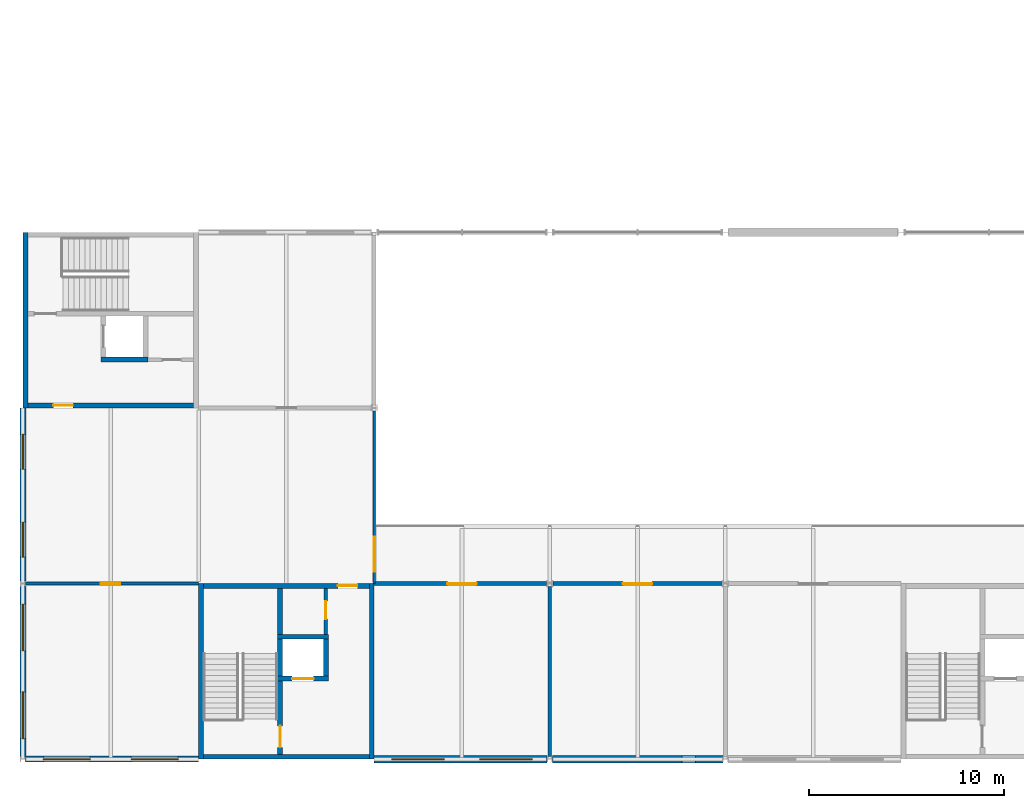
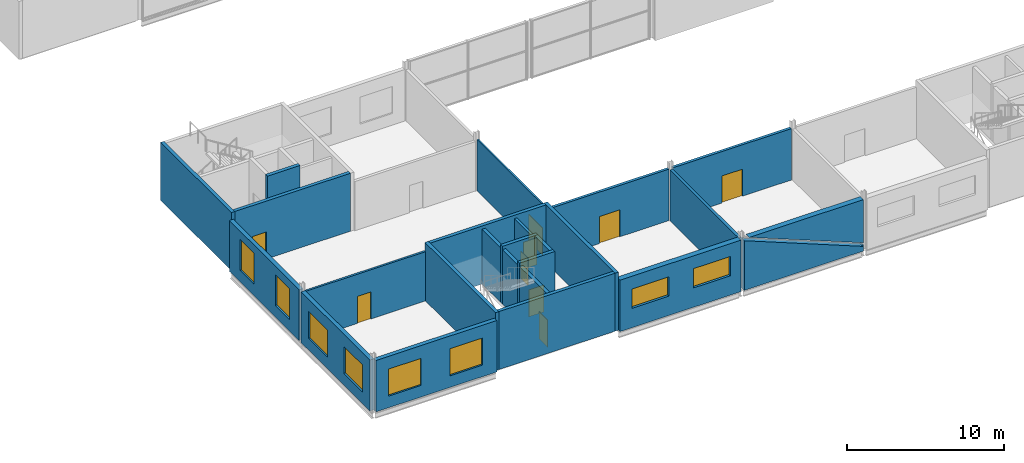
# One storey, part 65 of 97: 23 walls, 9 doors, 8 windows, 17 openings.
"""IFC4 building model written with IfcOpenShell, lengths in metres."""

import ifcopenshell
import ifcopenshell.guid

model = None  # the IFC model being written
_history = None  # IfcOwnerHistory: only IFC2X3 demands one
_inside = {}  # id of a spatial element -> (the spatial element, [elements in it])
_under = {}  # id of a project, library or spatial element -> (it, [spatial elements below it])
_declared = {}  # id of a project -> (the project, [libraries it declares])
_typed = {}  # id of a type object -> (the type object, [elements of that type])
_made_of = {}  # id of a material, layer set ... -> (it, [elements and type objects made of it])


def new_model(schema):
    """Start an empty IFC model of exactly this schema.

    Asked for "IFC4X3", IfcOpenShell would pick the latest addendum, in which some entities
    have other attributes; the version numbers below select the first issue.
    IFC2X3 requires an IfcOwnerHistory on every rooted entity: one is made here for all.
    """
    global model, _history
    if schema == "IFC4X3":
        model = ifcopenshell.file(schema_version=(4, 3, 0, 0))
    else:
        model = ifcopenshell.file(schema=schema)
    _inside.clear()
    _under.clear()
    _declared.clear()
    _typed.clear()
    _made_of.clear()
    _history = None
    if model.schema == "IFC2X3":
        org = make("IfcOrganization", Name="unknown")
        user = make(
            "IfcPersonAndOrganization",
            ThePerson=make("IfcPerson", FamilyName="unknown"),
            TheOrganization=org,
        )
        app = make(
            "IfcApplication",
            ApplicationDeveloper=org,
            Version="unknown",
            ApplicationFullName="unknown",
            ApplicationIdentifier="unknown",
        )
        _history = make(
            "IfcOwnerHistory",
            OwningUser=user,
            OwningApplication=app,
            ChangeAction="ADDED",
            CreationDate=0,
        )
    return model


def make(cls, **values):
    """One entity of the class cls with the attributes given. An attribute that is None is left unset."""
    return model.create_entity(
        cls, **{name: value for name, value in values.items() if value is not None}
    )


def rooted(cls, **values):
    """An entity with a GlobalId (a new one), such as an element, a storey or a relation."""
    return make(cls, GlobalId=ifcopenshell.guid.new(), OwnerHistory=_history, **values)


def si_unit(unit_type, name, prefix=None):
    """IfcSIUnit, for example si_unit("LENGTHUNIT", "METRE", prefix="MILLI")."""
    return make("IfcSIUnit", UnitType=unit_type, Prefix=prefix, Name=name)


def assignment(units):
    """IfcUnitAssignment: the units of a project."""
    return None if units is None else make("IfcUnitAssignment", Units=units)


def point(xyz):
    """IfcCartesianPoint."""
    return None if xyz is None else make("IfcCartesianPoint", Coordinates=xyz)


def direction(xyz):
    """IfcDirection."""
    return None if xyz is None else make("IfcDirection", DirectionRatios=xyz)


def frame(location, z_axis=None, x_axis=None):
    """IfcAxis2Placement3D, a coordinate frame: its origin and axes. An axis left out is left unset."""
    return make(
        "IfcAxis2Placement3D",
        Location=point(location),
        Axis=direction(z_axis),
        RefDirection=direction(x_axis),
    )


def frame_2d(location, x_axis=None):
    """IfcAxis2Placement2D, a coordinate frame in the plane: its origin and x axis."""
    return make(
        "IfcAxis2Placement2D", Location=point(location), RefDirection=direction(x_axis)
    )


def origin():
    """The frame at (0, 0, 0) with its axes left unset."""
    return frame((0.0, 0.0, 0.0))


def place(relative_to, where):
    """IfcLocalPlacement: puts the frame where relative to a parent placement (None: the world)."""
    return make(
        "IfcLocalPlacement", PlacementRelTo=relative_to, RelativePlacement=where
    )


def context(
    kind, dimensions, precision=None, world=None, true_north=None, identifier=None
):
    """IfcGeometricRepresentationContext, for example the 3D "Model" context."""
    return make(
        "IfcGeometricRepresentationContext",
        ContextIdentifier=identifier,
        ContextType=kind,
        CoordinateSpaceDimension=dimensions,
        Precision=precision,
        WorldCoordinateSystem=world,
        TrueNorth=true_north,
    )


def subcontext(parent, identifier, kind, view, scale=None):
    """IfcGeometricRepresentationSubContext, for example "Body" below "Model"."""
    return make(
        "IfcGeometricRepresentationSubContext",
        ContextIdentifier=identifier,
        ContextType=kind,
        ParentContext=parent,
        TargetScale=scale,
        TargetView=view,
    )


def project(units=None, contexts=None):
    """IfcProject with its units and contexts."""
    return rooted(
        "IfcProject",
        Name="project",
        RepresentationContexts=contexts,
        UnitsInContext=assignment(units),
    )


def spatial(cls, under=None, at=None, **own):
    """A site, building, storey or space (cls), placed at a placement, below another one or the project."""
    s = rooted(cls, ObjectPlacement=at, **own)
    if under is not None:
        _under.setdefault(under.id(), (under, []))[1].append(s)
    return s


def polyline(points):
    """IfcPolyline through the points."""
    return make("IfcPolyline", Points=[point(p) for p in points])


def profile(cls, at=None, kind="AREA", **sizes):
    """A parametric profile (cls). Its sizes go by their IFC names, for example OverallWidth=200.0."""
    return make(cls, ProfileType=kind, Position=at, **sizes)


def rectangle(**sizes):
    """IfcRectangleProfileDef."""
    return profile("IfcRectangleProfileDef", **sizes)


def outline(outer, holes=None, kind="AREA"):
    """IfcArbitraryClosedProfileDef: a profile drawn as a closed curve; with holes, ...WithVoids."""
    if holes is None:
        return make("IfcArbitraryClosedProfileDef", ProfileType=kind, OuterCurve=outer)
    return make(
        "IfcArbitraryProfileDefWithVoids",
        ProfileType=kind,
        OuterCurve=outer,
        InnerCurves=holes,
    )


def extrude(swept, where, along, depth):
    """IfcExtrudedAreaSolid: the profile swept, set in the frame where, extruded along a direction by depth."""
    return make(
        "IfcExtrudedAreaSolid",
        SweptArea=swept,
        Position=where,
        ExtrudedDirection=direction(along),
        Depth=depth,
    )


def shape(context_of_items, identifier, shape_type, items):
    """IfcShapeRepresentation: the items that make up one representation, for example the "Body"."""
    return make(
        "IfcShapeRepresentation",
        ContextOfItems=context_of_items,
        RepresentationIdentifier=identifier,
        RepresentationType=shape_type,
        Items=items,
    )


def material(Name=None, Category=None):
    """IfcMaterial."""
    return make("IfcMaterial", Name=Name, Category=Category)


def layer(
    of_material, thickness, ventilated=None, Name=None, Category=None, Priority=None
):
    """IfcMaterialLayer: one layer of a wall or slab, of a material (None: an air gap)."""
    return make(
        "IfcMaterialLayer",
        Material=of_material,
        LayerThickness=thickness,
        IsVentilated=ventilated,
        Name=Name,
        Category=Category,
        Priority=Priority,
    )


def layer_set(layers, Name=None):
    """IfcMaterialLayerSet."""
    return make("IfcMaterialLayerSet", MaterialLayers=layers, LayerSetName=Name)


def made_of(thing, what):
    """Note that an element or type object is made of a material, layer set ...; save() writes the relation."""
    if what is not None:
        _made_of.setdefault(what.id(), (what, []))[1].append(thing)
    return thing


def type_object(cls, material=None, **own):
    """A type object (cls), such as IfcWallType, which elements share."""
    return made_of(rooted(cls, **own), material)


def element(
    cls,
    number,
    at=None,
    inside=None,
    cuts=None,
    type_object=None,
    material=None,
    context=None,
    identifier="Body",
    shape_type=None,
    held_by="IfcProductDefinitionShape",
    body=None,
    shapes=None,
    **own,
):
    """One element of the class cls, such as IfcWall. Its Tag is "e" and its number.

    at: its placement. inside: the storey or other place that contains it. cuts: it is an
    opening in that element (IfcRelVoidsElement). A single representation is given by context,
    identifier, shape_type and body (its items); several are given by shapes. held_by: the class
    of the entity that holds the representations. save() writes the other relations.
    """
    e = rooted(cls, Tag="e%d" % number, ObjectPlacement=at, **own)
    if body is not None:
        shapes = [shape(context, identifier, shape_type, body)]
    if shapes is not None:
        e.Representation = make(held_by, Representations=shapes)
    if inside is not None:
        _inside.setdefault(inside.id(), (inside, []))[1].append(e)
    if cuts is not None:
        rooted(
            "IfcRelVoidsElement", RelatingBuildingElement=cuts, RelatedOpeningElement=e
        )
    if type_object is not None:
        _typed.setdefault(type_object.id(), (type_object, []))[1].append(e)
    return made_of(e, material)


def fill(opening, filler):
    """IfcRelFillsElement: the door or window that sits in an opening."""
    return rooted(
        "IfcRelFillsElement",
        RelatingOpeningElement=opening,
        RelatedBuildingElement=filler,
    )


def aggregate(whole, parts):
    """IfcRelAggregates: a whole, such as a stair, and the parts it consists of."""
    return rooted("IfcRelAggregates", RelatingObject=whole, RelatedObjects=parts)


def save(model, path):
    """Write the relations noted so far, then the file.

    IfcRelAggregates (storeys below a building ...), IfcRelContainedInSpatialStructure (elements
    in a storey), IfcRelDefinesByType, IfcRelAssociatesMaterial and IfcRelDeclares: one each for
    every whole, place, type object, material and project.
    """
    for whole, parts in _under.values():
        aggregate(whole, parts)
    for where, things in _inside.values():
        rooted(
            "IfcRelContainedInSpatialStructure",
            RelatedElements=things,
            RelatingStructure=where,
        )
    for kind, things in _typed.values():
        rooted("IfcRelDefinesByType", RelatedObjects=things, RelatingType=kind)
    for what, things in _made_of.values():
        rooted("IfcRelAssociatesMaterial", RelatedObjects=things, RelatingMaterial=what)
    for by, libraries in _declared.values():
        rooted("IfcRelDeclares", RelatingContext=by, RelatedDefinitions=libraries)
    model.write(path)


model = new_model("IFC4")

# Units and contexts
model_context = context("Model", 3, precision=1e-05, world=origin(), true_north=direction((0.0, 1.0)))
body_context = subcontext(model_context, "Body", "Model", "MODEL_VIEW")
ifc_project = project(units=[si_unit("LENGTHUNIT", "METRE"), si_unit("AREAUNIT", "SQUARE_METRE"), si_unit("VOLUMEUNIT", "CUBIC_METRE"), si_unit("PLANEANGLEUNIT", "RADIAN"), si_unit("MASSUNIT", "GRAM", prefix="KILO")], contexts=[model_context])

# Site, building, storey
site_placement = place(None, origin())
site = spatial("IfcSite", under=ifc_project, at=site_placement, CompositionType="ELEMENT")
building_placement = place(site_placement, origin())
building = spatial("IfcBuilding", under=site, at=building_placement, Name="Corbel Yard City Hall", CompositionType="ELEMENT")
storey_placement = place(building_placement, frame((0.0, 0.0, 6.0)))
storey = spatial("IfcBuildingStorey", under=building, at=storey_placement, Name="L01", CompositionType="ELEMENT", Elevation=6.0)

# Walls
ifc_material_1 = material(Name="Concrete N50 (50 MPa)", Category="concrete")
ifc_layer_1 = layer(ifc_material_1, 0.25)
ifc_layer_set_1 = layer_set([ifc_layer_1], Name="Concrete N50 (50 MPa)")
wall_type_1 = type_object("IfcWallType", Name="Core cell wall 250", PredefinedType="SHEAR", material=ifc_layer_set_1)
for number, where, z_axis, x_axis, name in (
    (1, (9.125, 0.0, 0.0), (0.0, 0.0, 1.0), (0.0, 1.0, 0.0), "Core PC-S0 west wall"),
    (2, (17.875, 0.0, 0.0), (0.0, 0.0, 1.0), (0.0, 1.0, 0.0), "Core PC-S0 east wall"),
):
    element("IfcWall", number, at=place(storey_placement, frame(where, z_axis=z_axis, x_axis=x_axis)), inside=storey, type_object=wall_type_1, Name=name, PredefinedType="SHEAR", context=body_context, shape_type="SweptSolid", body=[
        extrude(rectangle(XDim=9.0, YDim=0.25, at=frame_2d((4.5, 0.0))), origin(), (0.0, 0.0, 1.0), 4.5),
    ])
wall_1_placement = place(storey_placement, frame((9.25, 0.125, 0.0), z_axis=(0.0, 0.0, 1.0), x_axis=(1.0, 0.0, 0.0)))
element("IfcWall", 3, at=wall_1_placement, inside=storey, type_object=wall_type_1, Name="Core PC-S0 south wall", PredefinedType="SHEAR", context=body_context, shape_type="SweptSolid", body=[
    extrude(rectangle(XDim=8.5, YDim=0.25, at=frame_2d((4.25, 0.0))), origin(), (0.0, 0.0, 1.0), 4.5),
])

# Wall, opening, door
wall_2_placement = place(storey_placement, frame((9.25, 8.875, 0.0), z_axis=(0.0, 0.0, 1.0), x_axis=(1.0, 0.0, 0.0)))
wall_2 = element("IfcWall", 4, at=wall_2_placement, inside=storey, type_object=wall_type_1, Name="Core PC-S0 north wall", PredefinedType="SHEAR", context=body_context, shape_type="SweptSolid", body=[
    extrude(rectangle(XDim=8.5, YDim=0.25, at=frame_2d((4.25, 0.0))), origin(), (0.0, 0.0, 1.0), 4.5),
])
opening_1_placement = place(wall_2_placement, frame((6.887451171875, 0.0, 0.0)))
opening_1 = element("IfcOpeningElement", 5, at=opening_1_placement, cuts=wall_2, Name="Opening L01-012", PredefinedType="OPENING", context=body_context, shape_type="SweptSolid", body=[
    extrude(rectangle(XDim=1.0, YDim=2.10009765625, at=frame_2d((0.5, 1.050048828125))), frame((0.0, 0.135009765625, 0.0), z_axis=(0.0, -1.0, 0.0), x_axis=(1.0, 0.0, 0.0)), (0.0, 0.0, 1.0), 0.27001953125),
])
ifc_material_2 = material(Name="Steel Grade G250", Category="steel")
door_type_1 = type_object("IfcDoorType", Name="FS1", OperationType="SINGLE_SWING_LEFT", PredefinedType="DOOR", material=ifc_material_2)
door_1_placement = place(opening_1_placement, frame((1.0, 0.0, 0.0), z_axis=(0.0, 0.0, 1.0), x_axis=(-1.0, 0.0, 0.0)))
door_1 = element("IfcDoor", 6, at=door_1_placement, inside=storey, type_object=door_type_1, Name="Door Lift Lobby", OperationType="SINGLE_SWING_RIGHT", OverallHeight=2.10009765625, OverallWidth=1.0, PredefinedType="DOOR", context=body_context, shape_type="SweptSolid", body=[
    extrude(rectangle(XDim=1.0, YDim=2.10009765625, at=frame_2d((0.5, 1.050048828125))), frame((0.0, 0.02490234375, 0.0), z_axis=(0.0, -1.0, 0.0), x_axis=(1.0, 0.0, 0.0)), (0.0, 0.0, 1.0), 0.050048828125),
])
fill(opening_1, door_1)

# Wall
wall_3_placement = place(storey_placement, frame((0.125, 18.0, 0.0), z_axis=(0.0, 0.0, 1.0), x_axis=(0.0, 1.0, 0.0)))
element("IfcWall", 7, at=wall_3_placement, inside=storey, type_object=wall_type_1, Name="Core PC-S5 west wall", PredefinedType="SHEAR", context=body_context, shape_type="SweptSolid", body=[
    extrude(rectangle(XDim=9.0, YDim=0.25, at=frame_2d((4.5, 0.0))), origin(), (0.0, 0.0, 1.0), 4.5),
])

# Wall, opening, door
wall_4_placement = place(storey_placement, frame((0.25, 18.125, 0.0), z_axis=(0.0, 0.0, 1.0), x_axis=(1.0, 0.0, 0.0)))
wall_4 = element("IfcWall", 8, at=wall_4_placement, inside=storey, type_object=wall_type_1, Name="Core PC-S5 south wall", PredefinedType="SHEAR", context=body_context, shape_type="SweptSolid", body=[
    extrude(rectangle(XDim=8.5, YDim=0.25, at=frame_2d((4.25, 0.0))), origin(), (0.0, 0.0, 1.0), 4.5),
])
opening_2_placement = place(wall_4_placement, frame((1.3125, 0.0, 0.0)))
opening_2 = element("IfcOpeningElement", 9, at=opening_2_placement, cuts=wall_4, Name="Opening L01-015", PredefinedType="OPENING", context=body_context, shape_type="SweptSolid", body=[
    extrude(rectangle(XDim=1.0, YDim=2.10009765625, at=frame_2d((0.5, 1.050048828125))), frame((0.0, 0.135009765625, 0.0), z_axis=(0.0, -1.0, 0.0), x_axis=(1.0, 0.0, 0.0)), (0.0, 0.0, 1.0), 0.27001953125),
])
door_2_placement = place(opening_2_placement, origin())
door_2 = element("IfcDoor", 10, at=door_2_placement, inside=storey, type_object=door_type_1, Name="Door Lift Lobby", OperationType="SINGLE_SWING_LEFT", OverallHeight=2.10009765625, OverallWidth=1.0, PredefinedType="DOOR", context=body_context, shape_type="SweptSolid", body=[
    extrude(rectangle(XDim=1.0, YDim=2.10009765625, at=frame_2d((0.5, 1.050048828125))), frame((0.0, 0.02490234375, 0.0), z_axis=(0.0, -1.0, 0.0), x_axis=(1.0, 0.0, 0.0)), (0.0, 0.0, 1.0), 0.050048828125),
])
fill(opening_2, door_2)

# Wall, openings, windows
ifc_material_3 = material(Name="Sandstone cladding", Category="masonry")
ifc_layer_2 = layer(ifc_material_3, 0.0400390625)
ifc_material_4 = material(Name="Air cavity", Category="air")
ifc_layer_3 = layer(ifc_material_4, 0.0400390625)
ifc_material_5 = material(Name="Concrete block", Category="concrete")
ifc_layer_4 = layer(ifc_material_5, 0.18994140625)
ifc_material_6 = material(Name="Gypsum plasterboard", Category="gypsum")
ifc_layer_5 = layer(ifc_material_6, 0.030029296875)
ifc_layer_set_2 = layer_set([ifc_layer_2, ifc_layer_3, ifc_layer_4, ifc_layer_5], Name="Concrete block")
wall_type_2 = type_object("IfcWallType", Name="EW1", PredefinedType="SOLIDWALL", material=ifc_layer_set_2)
wall_5_placement = place(storey_placement, frame((0.1298828125, 0.0, 0.0), z_axis=(0.0, 0.0, 1.0), x_axis=(1.0, 0.0, 0.0)))
wall_5 = element("IfcWall", 11, at=wall_5_placement, inside=storey, type_object=wall_type_2, Name="External wall", PredefinedType="SOLIDWALL", context=body_context, shape_type="SweptSolid", body=[
    extrude(rectangle(XDim=8.8701171875, YDim=0.300048828125, at=frame_2d((4.43505859375, 0.0))), origin(), (0.0, 0.0, 1.0), 3.990966796875),
])
opening_3_placement = place(wall_5_placement, frame((0.919921875, 0.0, 0.89990234375)))
opening_3 = element("IfcOpeningElement", 12, at=opening_3_placement, cuts=wall_5, Name="Opening WN8", PredefinedType="OPENING", context=body_context, shape_type="SweptSolid", body=[
    extrude(rectangle(XDim=2.39990234375, YDim=2.10009765625, at=frame_2d((1.199951171875, 1.050048828125))), frame((0.0, 0.159912109375, 0.0), z_axis=(0.0, -1.0, 0.0), x_axis=(1.0, 0.0, 0.0)), (0.0, 0.0, 1.0), 0.320068359375),
])
opening_4_placement = place(wall_5_placement, frame((5.419921875, 0.0, 0.89990234375)))
opening_4 = element("IfcOpeningElement", 13, at=opening_4_placement, cuts=wall_5, Name="Opening WN8", PredefinedType="OPENING", context=body_context, shape_type="SweptSolid", body=[
    extrude(rectangle(XDim=2.39990234375, YDim=2.10009765625, at=frame_2d((1.199951171875, 1.050048828125))), frame((0.0, 0.159912109375, 0.0), z_axis=(0.0, -1.0, 0.0), x_axis=(1.0, 0.0, 0.0)), (0.0, 0.0, 1.0), 0.320068359375),
])
ifc_material_7 = material(Name="Aluminium frame, double glazed low-e glass", Category="aluminium")
window_type_1 = type_object("IfcWindowType", Name="WN8", PartitioningType="SINGLE_PANEL", PredefinedType="WINDOW", material=ifc_material_7)
window_1_placement = place(opening_3_placement, origin())
window_1 = element("IfcWindow", 14, at=window_1_placement, inside=storey, type_object=window_type_1, Name="Window WN8 L01", OverallHeight=2.10009765625, OverallWidth=2.39990234375, PartitioningType="SINGLE_PANEL", PredefinedType="WINDOW", context=body_context, shape_type="SweptSolid", body=[
    extrude(rectangle(XDim=2.39990234375, YDim=2.10009765625, at=frame_2d((1.199951171875, 1.050048828125))), frame((0.0, 0.030029296875, 0.0), z_axis=(0.0, -1.0, 0.0), x_axis=(1.0, 0.0, 0.0)), (0.0, 0.0, 1.0), 0.06005859375),
])
fill(opening_3, window_1)
window_2_placement = place(opening_4_placement, origin())
window_2 = element("IfcWindow", 15, at=window_2_placement, inside=storey, type_object=window_type_1, Name="Window WN8 L01", OverallHeight=2.10009765625, OverallWidth=2.39990234375, PartitioningType="SINGLE_PANEL", PredefinedType="WINDOW", context=body_context, shape_type="SweptSolid", body=[
    extrude(rectangle(XDim=2.39990234375, YDim=2.10009765625, at=frame_2d((1.199951171875, 1.050048828125))), frame((0.0, 0.030029296875, 0.0), z_axis=(0.0, -1.0, 0.0), x_axis=(1.0, 0.0, 0.0)), (0.0, 0.0, 1.0), 0.06005859375),
])
fill(opening_4, window_2)

wall_6_placement = place(storey_placement, frame((0.0, 0.1279296875, 0.0), z_axis=(0.0, 0.0, 1.0), x_axis=(0.0, 1.0, 0.0)))
wall_6 = element("IfcWall", 16, at=wall_6_placement, inside=storey, type_object=wall_type_2, Name="External wall", PredefinedType="SOLIDWALL", context=body_context, shape_type="SweptSolid", body=[
    extrude(rectangle(XDim=8.744140625, YDim=0.300048828125, at=frame_2d((4.3720703125, 0.0))), origin(), (0.0, 0.0, 1.0), 3.947021484375),
])
opening_5_placement = place(wall_6_placement, frame((0.922119140625, 0.0, 0.89990234375)))
opening_5 = element("IfcOpeningElement", 17, at=opening_5_placement, cuts=wall_6, Name="Opening WN8", PredefinedType="OPENING", context=body_context, shape_type="SweptSolid", body=[
    extrude(rectangle(XDim=2.39990234375, YDim=2.10009765625, at=frame_2d((1.199951171875, 1.050048828125))), frame((0.0, 0.159912109375, 0.0), z_axis=(0.0, -1.0, 0.0), x_axis=(1.0, 0.0, 0.0)), (0.0, 0.0, 1.0), 0.320068359375),
])
opening_6_placement = place(wall_6_placement, frame((5.422119140625, 0.0, 0.89990234375)))
opening_6 = element("IfcOpeningElement", 18, at=opening_6_placement, cuts=wall_6, Name="Opening WN8", PredefinedType="OPENING", context=body_context, shape_type="SweptSolid", body=[
    extrude(rectangle(XDim=2.39990234375, YDim=2.10009765625, at=frame_2d((1.199951171875, 1.050048828125))), frame((0.0, 0.159912109375, 0.0), z_axis=(0.0, -1.0, 0.0), x_axis=(1.0, 0.0, 0.0)), (0.0, 0.0, 1.0), 0.320068359375),
])
window_3_placement = place(opening_5_placement, origin())
window_3 = element("IfcWindow", 19, at=window_3_placement, inside=storey, type_object=window_type_1, Name="Window WN8 L01", OverallHeight=2.10009765625, OverallWidth=2.39990234375, PartitioningType="SINGLE_PANEL", PredefinedType="WINDOW", context=body_context, shape_type="SweptSolid", body=[
    extrude(rectangle(XDim=2.39990234375, YDim=2.10009765625, at=frame_2d((1.199951171875, 1.050048828125))), frame((0.0, 0.030029296875, 0.0), z_axis=(0.0, -1.0, 0.0), x_axis=(1.0, 0.0, 0.0)), (0.0, 0.0, 1.0), 0.06005859375),
])
fill(opening_5, window_3)
window_4_placement = place(opening_6_placement, origin())
window_4 = element("IfcWindow", 20, at=window_4_placement, inside=storey, type_object=window_type_1, Name="Window WN8 L01", OverallHeight=2.10009765625, OverallWidth=2.39990234375, PartitioningType="SINGLE_PANEL", PredefinedType="WINDOW", context=body_context, shape_type="SweptSolid", body=[
    extrude(rectangle(XDim=2.39990234375, YDim=2.10009765625, at=frame_2d((1.199951171875, 1.050048828125))), frame((0.0, 0.030029296875, 0.0), z_axis=(0.0, -1.0, 0.0), x_axis=(1.0, 0.0, 0.0)), (0.0, 0.0, 1.0), 0.06005859375),
])
fill(opening_6, window_4)

ifc_layer_6 = layer(ifc_material_6, 0.031982421875)
ifc_layer_7 = layer(ifc_material_4, 0.133056640625)
ifc_layer_8 = layer(ifc_material_5, 0.18994140625)
ifc_material_8 = material(Name="Cement render", Category="render")
ifc_layer_9 = layer(ifc_material_8, 0.0400390625)
ifc_material_9 = material(Name="Acoustic sealant", Category="sealant")
ifc_layer_10 = layer(ifc_material_9, 0.0048828125)
ifc_layer_set_3 = layer_set([ifc_layer_6, ifc_layer_7, ifc_layer_8, ifc_layer_9, ifc_layer_10], Name="Concrete block")
wall_type_3 = type_object("IfcWallType", Name="EW3", PredefinedType="SOLIDWALL", material=ifc_layer_set_3)
wall_7_placement = place(storey_placement, frame((18.0, 0.0, 0.0), z_axis=(0.0, 0.0, 1.0), x_axis=(1.0, 0.0, 0.0)))
wall_7 = element("IfcWall", 21, at=wall_7_placement, inside=storey, type_object=wall_type_3, Name="Acoustic wall", PredefinedType="SOLIDWALL", context=body_context, shape_type="SweptSolid", body=[
    extrude(rectangle(XDim=8.8701171875, YDim=0.39990234375, at=frame_2d((4.43505859375, 0.0))), origin(), (0.0, 0.0, 1.0), 3.990966796875),
])
opening_7_placement = place(wall_7_placement, frame((0.89990234375, 0.0, 1.5)))
opening_7 = element("IfcOpeningElement", 22, at=opening_7_placement, cuts=wall_7, Name="Opening WN3", PredefinedType="OPENING", context=body_context, shape_type="SweptSolid", body=[
    extrude(rectangle(XDim=2.699951171875, YDim=1.5, at=frame_2d((1.35009765625, 0.75))), frame((0.0, 0.2099609375, 0.0), z_axis=(0.0, -1.0, 0.0), x_axis=(1.0, 0.0, 0.0)), (0.0, 0.0, 1.0), 0.419921875),
])
opening_8_placement = place(wall_7_placement, frame((5.39990234375, 0.0, 1.5)))
opening_8 = element("IfcOpeningElement", 23, at=opening_8_placement, cuts=wall_7, Name="Opening WN3", PredefinedType="OPENING", context=body_context, shape_type="SweptSolid", body=[
    extrude(rectangle(XDim=2.699951171875, YDim=1.5, at=frame_2d((1.35009765625, 0.75))), frame((0.0, 0.2099609375, 0.0), z_axis=(0.0, -1.0, 0.0), x_axis=(1.0, 0.0, 0.0)), (0.0, 0.0, 1.0), 0.419921875),
])
ifc_material_10 = material(Name="Aluminium frame, laminated acoustic glass", Category="aluminium")
window_type_2 = type_object("IfcWindowType", Name="WN3", PartitioningType="SINGLE_PANEL", PredefinedType="WINDOW", material=ifc_material_10)
window_5_placement = place(opening_7_placement, origin())
window_5 = element("IfcWindow", 24, at=window_5_placement, inside=storey, type_object=window_type_2, Name="Window WN3 L01", OverallHeight=1.5, OverallWidth=2.699951171875, PartitioningType="SINGLE_PANEL", PredefinedType="WINDOW", context=body_context, shape_type="SweptSolid", body=[
    extrude(rectangle(XDim=2.699951171875, YDim=1.5, at=frame_2d((1.35009765625, 0.75))), frame((0.0, 0.030029296875, 0.0), z_axis=(0.0, -1.0, 0.0), x_axis=(1.0, 0.0, 0.0)), (0.0, 0.0, 1.0), 0.06005859375),
])
fill(opening_7, window_5)
window_6_placement = place(opening_8_placement, origin())
window_6 = element("IfcWindow", 25, at=window_6_placement, inside=storey, type_object=window_type_2, Name="Window WN3 L01", OverallHeight=1.5, OverallWidth=2.699951171875, PartitioningType="SINGLE_PANEL", PredefinedType="WINDOW", context=body_context, shape_type="SweptSolid", body=[
    extrude(rectangle(XDim=2.699951171875, YDim=1.5, at=frame_2d((1.35009765625, 0.75))), frame((0.0, 0.030029296875, 0.0), z_axis=(0.0, -1.0, 0.0), x_axis=(1.0, 0.0, 0.0)), (0.0, 0.0, 1.0), 0.06005859375),
])
fill(opening_8, window_6)

# Walls
wall_8_placement = place(storey_placement, frame((27.1298828125, 0.0, 0.0), z_axis=(0.0, 0.0, 1.0), x_axis=(1.0, 0.0, 0.0)))
element("IfcWall", 26, at=wall_8_placement, inside=storey, type_object=wall_type_3, Name="Acoustic wall", PredefinedType="SOLIDWALL", context=body_context, shape_type="SweptSolid", body=[
    extrude(outline(polyline([(8.739990234375, 0.0), (0.0, 0.0), (0.0, 3.8603515625), (8.69189453125, 0.379638671875), (8.739990234375, 0.5), (8.739990234375, 0.0)])), frame((0.0, 0.199951171875, 0.0), z_axis=(0.0, -1.0, 0.0), x_axis=(1.0, 0.0, 0.0)), (0.0, 0.0, 1.0), 0.39990234375),
])
wall_9_placement = place(storey_placement, frame((27.1298828125, 0.0, 0.0), z_axis=(0.0, 0.0, 1.0), x_axis=(1.0, 0.0, 0.0)))
element("IfcWall", 27, at=wall_9_placement, inside=storey, type_object=wall_type_3, Name="Acoustic wall", PredefinedType="SOLIDWALL", context=body_context, shape_type="SweptSolid", body=[
    extrude(outline(polyline([(8.739990234375, 3.990966796875), (8.739990234375, 0.6396484375), (0.370849609375, 3.990966796875), (8.739990234375, 3.990966796875)])), frame((0.0, 0.199951171875, 0.0), z_axis=(0.0, -1.0, 0.0), x_axis=(1.0, 0.0, 0.0)), (0.0, 0.0, 1.0), 0.39990234375),
])

# Wall, openings, windows
ifc_layer_11 = layer(ifc_material_3, 0.0400390625)
ifc_layer_12 = layer(ifc_material_4, 0.030029296875)
ifc_material_11 = material(Name="Concrete N40 (40 MPa)", Category="concrete")
ifc_layer_13 = layer(ifc_material_11, 0.18994140625)
ifc_layer_14 = layer(ifc_material_6, 0.0400390625)
ifc_layer_set_4 = layer_set([ifc_layer_11, ifc_layer_12, ifc_layer_13, ifc_layer_14], Name="Concrete N40 (40 MPa)")
wall_type_4 = type_object("IfcWallType", Name="EW7", PredefinedType="SOLIDWALL", material=ifc_layer_set_4)
wall_10_placement = place(storey_placement, frame((0.0, 9.1279296875, 0.0), z_axis=(0.0, 0.0, 1.0), x_axis=(0.0, 1.0, 0.0)))
wall_10 = element("IfcWall", 28, at=wall_10_placement, inside=storey, type_object=wall_type_4, Name="Entrance pier wall", PredefinedType="SOLIDWALL", context=body_context, shape_type="SweptSolid", body=[
    extrude(rectangle(XDim=8.8720703125, YDim=0.300048828125, at=frame_2d((4.43603515625, 0.0))), origin(), (0.0, 0.0, 1.0), 3.947021484375),
])
opening_9_placement = place(wall_10_placement, frame((1.221923828125, 0.0, 0.89990234375)))
opening_9 = element("IfcOpeningElement", 29, at=opening_9_placement, cuts=wall_10, Name="Opening WN1", PredefinedType="OPENING", context=body_context, shape_type="SweptSolid", body=[
    extrude(rectangle(XDim=1.800048828125, YDim=2.39990234375, at=frame_2d((0.89990234375, 1.199951171875))), frame((0.0, 0.159912109375, 0.0), z_axis=(0.0, -1.0, 0.0), x_axis=(1.0, 0.0, 0.0)), (0.0, 0.0, 1.0), 0.320068359375),
])
opening_10_placement = place(wall_10_placement, frame((5.721923828125, 0.0, 0.89990234375)))
opening_10 = element("IfcOpeningElement", 30, at=opening_10_placement, cuts=wall_10, Name="Opening WN1", PredefinedType="OPENING", context=body_context, shape_type="SweptSolid", body=[
    extrude(rectangle(XDim=1.800048828125, YDim=2.39990234375, at=frame_2d((0.89990234375, 1.199951171875))), frame((0.0, 0.159912109375, 0.0), z_axis=(0.0, -1.0, 0.0), x_axis=(1.0, 0.0, 0.0)), (0.0, 0.0, 1.0), 0.320068359375),
])
window_type_3 = type_object("IfcWindowType", Name="WN1", PartitioningType="SINGLE_PANEL", PredefinedType="WINDOW", material=ifc_material_7)
window_7_placement = place(opening_9_placement, origin())
window_7 = element("IfcWindow", 31, at=window_7_placement, inside=storey, type_object=window_type_3, Name="Window WN1 L01", OverallHeight=2.39990234375, OverallWidth=1.800048828125, PartitioningType="SINGLE_PANEL", PredefinedType="WINDOW", context=body_context, shape_type="SweptSolid", body=[
    extrude(rectangle(XDim=1.800048828125, YDim=2.39990234375, at=frame_2d((0.89990234375, 1.199951171875))), frame((0.0, 0.030029296875, 0.0), z_axis=(0.0, -1.0, 0.0), x_axis=(1.0, 0.0, 0.0)), (0.0, 0.0, 1.0), 0.06005859375),
])
fill(opening_9, window_7)
window_8_placement = place(opening_10_placement, origin())
window_8 = element("IfcWindow", 32, at=window_8_placement, inside=storey, type_object=window_type_3, Name="Window WN1 L01", OverallHeight=2.39990234375, OverallWidth=1.800048828125, PartitioningType="SINGLE_PANEL", PredefinedType="WINDOW", context=body_context, shape_type="SweptSolid", body=[
    extrude(rectangle(XDim=1.800048828125, YDim=2.39990234375, at=frame_2d((0.89990234375, 1.199951171875))), frame((0.0, 0.030029296875, 0.0), z_axis=(0.0, -1.0, 0.0), x_axis=(1.0, 0.0, 0.0)), (0.0, 0.0, 1.0), 0.06005859375),
])
fill(opening_10, window_8)

# Wall, opening, door
ifc_layer_15 = layer(ifc_material_11, 0.25)
ifc_layer_set_5 = layer_set([ifc_layer_15], Name="Concrete N40 (40 MPa)")
wall_type_5 = type_object("IfcWallType", Name="IW2", PredefinedType="SOLIDWALL", material=ifc_layer_set_5)
wall_11_placement = place(storey_placement, frame((13.175048828125, 0.25, 0.0), z_axis=(0.0, 0.0, 1.0), x_axis=(0.0, 1.0, 0.0)))
wall_11 = element("IfcWall", 33, at=wall_11_placement, inside=storey, type_object=wall_type_5, Name="Stair enclosure wall", PredefinedType="SOLIDWALL", context=body_context, shape_type="SweptSolid", body=[
    extrude(rectangle(XDim=8.5, YDim=0.25, at=frame_2d((4.25, 0.0))), origin(), (0.0, 0.0, 1.0), 4.25),
])
opening_11_placement = place(wall_11_placement, frame((0.35009765625, 0.0, 0.0)))
opening_11 = element("IfcOpeningElement", 34, at=opening_11_placement, cuts=wall_11, Name="Opening L01-011", PredefinedType="OPENING", context=body_context, shape_type="SweptSolid", body=[
    extrude(rectangle(XDim=1.10009765625, YDim=2.10009765625, at=frame_2d((0.550048828125, 1.050048828125))), frame((0.0, 0.135009765625, 0.0), z_axis=(0.0, -1.0, 0.0), x_axis=(1.0, 0.0, 0.0)), (0.0, 0.0, 1.0), 0.27001953125),
])
door_type_2 = type_object("IfcDoorType", Name="FS11", OperationType="SINGLE_SWING_LEFT", PredefinedType="DOOR", material=ifc_material_2)
door_3_placement = place(opening_11_placement, origin())
door_3 = element("IfcDoor", 35, at=door_3_placement, inside=storey, type_object=door_type_2, Name="Door Exit Stair 1", OperationType="SINGLE_SWING_LEFT", OverallHeight=2.10009765625, OverallWidth=1.10009765625, PredefinedType="DOOR", context=body_context, shape_type="SweptSolid", body=[
    extrude(rectangle(XDim=1.10009765625, YDim=2.10009765625, at=frame_2d((0.550048828125, 1.050048828125))), frame((0.0, 0.02490234375, 0.0), z_axis=(0.0, -1.0, 0.0), x_axis=(1.0, 0.0, 0.0)), (0.0, 0.0, 1.0), 0.050048828125),
])
fill(opening_11, door_3)

wall_12_placement = place(storey_placement, frame((13.050048828125, 4.125, 0.0), z_axis=(0.0, 0.0, 1.0), x_axis=(1.0, 0.0, 0.0)))
wall_12 = element("IfcWall", 36, at=wall_12_placement, inside=storey, type_object=wall_type_5, Name="Lift LP1 shaft wall", PredefinedType="SOLIDWALL", context=body_context, shape_type="SweptSolid", body=[
    extrude(rectangle(XDim=2.599853515625, YDim=0.25, at=frame_2d((1.2998046875, 0.0))), origin(), (0.0, 0.0, 1.0), 4.5),
])
opening_12_placement = place(wall_12_placement, frame((0.75, 0.0, 0.0)))
opening_12 = element("IfcOpeningElement", 37, at=opening_12_placement, cuts=wall_12, Name="Opening L01-001", PredefinedType="OPENING", context=body_context, shape_type="SweptSolid", body=[
    extrude(rectangle(XDim=1.10009765625, YDim=2.10009765625, at=frame_2d((0.550048828125, 1.050048828125))), frame((0.0, 0.135009765625, 0.0), z_axis=(0.0, -1.0, 0.0), x_axis=(1.0, 0.0, 0.0)), (0.0, 0.0, 1.0), 0.27001953125),
])
ifc_material_12 = material(Name="Stainless steel Grade 316", Category="steel")
door_type_3 = type_object("IfcDoorType", Name="LD1", OperationType="DOUBLE_DOOR_SLIDING", PredefinedType="DOOR", material=ifc_material_12)
door_4_placement = place(opening_12_placement, origin())
door_4 = element("IfcDoor", 38, at=door_4_placement, inside=storey, type_object=door_type_3, Name="Lift LP1 landing door", OperationType="DOUBLE_DOOR_SLIDING", OverallHeight=2.10009765625, OverallWidth=1.10009765625, PredefinedType="DOOR", context=body_context, shape_type="SweptSolid", body=[
    extrude(rectangle(XDim=1.10009765625, YDim=2.10009765625, at=frame_2d((0.550048828125, 1.050048828125))), frame((0.0, 0.02490234375, 0.0), z_axis=(0.0, -1.0, 0.0), x_axis=(1.0, 0.0, 0.0)), (0.0, 0.0, 1.0), 0.050048828125),
])
fill(opening_12, door_4)

# Walls
wall_13_placement = place(storey_placement, frame((13.050048828125, 6.27490234375, 0.0), z_axis=(0.0, 0.0, 1.0), x_axis=(1.0, 0.0, 0.0)))
element("IfcWall", 39, at=wall_13_placement, inside=storey, type_object=wall_type_5, Name="Lift LP1 shaft wall", PredefinedType="SOLIDWALL", context=body_context, shape_type="SweptSolid", body=[
    extrude(rectangle(XDim=2.599853515625, YDim=0.25, at=frame_2d((1.2998046875, 0.0))), origin(), (0.0, 0.0, 1.0), 4.5),
])
wall_14_placement = place(storey_placement, frame((15.52490234375, 4.25, 0.0), z_axis=(0.0, 0.0, 1.0), x_axis=(0.0, 1.0, 0.0)))
element("IfcWall", 40, at=wall_14_placement, inside=storey, type_object=wall_type_5, Name="Lift LP1 shaft wall", PredefinedType="SOLIDWALL", context=body_context, shape_type="SweptSolid", body=[
    extrude(rectangle(XDim=1.89990234375, YDim=0.25, at=frame_2d((0.949951171875, 0.0))), origin(), (0.0, 0.0, 1.0), 4.5),
])
wall_15_placement = place(storey_placement, frame((4.0, 20.47509765625, 0.0), z_axis=(0.0, 0.0, 1.0), x_axis=(1.0, 0.0, 0.0)))
element("IfcWall", 41, at=wall_15_placement, inside=storey, type_object=wall_type_5, Name="Lift LP6 shaft wall", PredefinedType="SOLIDWALL", context=body_context, shape_type="SweptSolid", body=[
    extrude(rectangle(XDim=2.39990234375, YDim=0.25, at=frame_2d((1.199951171875, 0.0))), origin(), (0.0, 0.0, 1.0), 4.5),
])

# Wall, opening, door
ifc_layer_16 = layer(ifc_material_6, 0.028076171875)
ifc_material_13 = material(Name="Steel Grade G550 (550 MPa yield)", Category="steel")
ifc_layer_17 = layer(ifc_material_13, 0.06396484375)
ifc_layer_18 = layer(ifc_material_6, 0.028076171875)
ifc_layer_set_6 = layer_set([ifc_layer_16, ifc_layer_17, ifc_layer_18], Name="Steel Grade G550 (550 MPa yield)")
wall_type_6 = type_object("IfcWallType", Name="PT1", PredefinedType="PARTITIONING", material=ifc_layer_set_6)
wall_16_placement = place(storey_placement, frame((18.0, 9.0, 0.0), z_axis=(0.0, 0.0, 1.0), x_axis=(0.0, 1.0, 0.0)))
wall_16 = element("IfcWall", 42, at=wall_16_placement, inside=storey, type_object=wall_type_6, Name="Partition", PredefinedType="PARTITIONING", context=body_context, shape_type="SweptSolid", body=[
    extrude(rectangle(XDim=8.842529296875, YDim=0.1201171875, at=frame_2d((4.42138671875, 0.0))), origin(), (0.0, 0.0, 1.0), 3.990966796875),
])
opening_13_placement = place(wall_16_placement, frame((0.60009765625, 0.0, 0.0)))
opening_13 = element("IfcOpeningElement", 43, at=opening_13_placement, cuts=wall_16, Name="Opening L01-008", PredefinedType="OPENING", context=body_context, shape_type="SweptSolid", body=[
    extrude(rectangle(XDim=1.800048828125, YDim=2.10009765625, at=frame_2d((0.89990234375, 1.050048828125))), frame((0.0, 0.070068359375, 0.0), z_axis=(0.0, -1.0, 0.0), x_axis=(1.0, 0.0, 0.0)), (0.0, 0.0, 1.0), 0.14013671875),
])
ifc_material_14 = material(Name="Timber", Category="wood")
door_type_4 = type_object("IfcDoorType", Name="D3", OperationType="DOUBLE_DOOR_SINGLE_SWING", PredefinedType="DOOR", material=ifc_material_14)
door_5_placement = place(opening_13_placement, origin())
door_5 = element("IfcDoor", 44, at=door_5_placement, inside=storey, type_object=door_type_4, Name="Door Link Foyer", OperationType="DOUBLE_DOOR_SINGLE_SWING", OverallHeight=2.10009765625, OverallWidth=1.800048828125, PredefinedType="DOOR", context=body_context, shape_type="SweptSolid", body=[
    extrude(rectangle(XDim=1.800048828125, YDim=2.10009765625, at=frame_2d((0.89990234375, 1.050048828125))), frame((0.0, 0.02490234375, 0.0), z_axis=(0.0, -1.0, 0.0), x_axis=(1.0, 0.0, 0.0)), (0.0, 0.0, 1.0), 0.050048828125),
])
fill(opening_13, door_5)

ifc_layer_19 = layer(ifc_material_6, 0.031982421875)
ifc_layer_20 = layer(ifc_material_13, 0.135986328125)
ifc_layer_21 = layer(ifc_material_6, 0.031982421875)
ifc_layer_set_7 = layer_set([ifc_layer_19, ifc_layer_20, ifc_layer_21], Name="Steel Grade G550 (550 MPa yield)")
wall_type_7 = type_object("IfcWallType", Name="PT2", PredefinedType="PARTITIONING", material=ifc_layer_set_7)
wall_17_placement = place(storey_placement, frame((18.0, 9.0, 0.0), z_axis=(0.0, 0.0, 1.0), x_axis=(1.0, 0.0, 0.0)))
wall_17 = element("IfcWall", 45, at=wall_17_placement, inside=storey, type_object=wall_type_7, Name="Acoustic wall", PredefinedType="PARTITIONING", context=body_context, shape_type="SweptSolid", body=[
    extrude(rectangle(XDim=8.842529296875, YDim=0.199951171875, at=frame_2d((4.42138671875, 0.0))), origin(), (0.0, 0.0, 1.0), 3.990966796875),
])
opening_14_placement = place(wall_17_placement, frame((3.75, 0.0, 0.0)))
opening_14 = element("IfcOpeningElement", 46, at=opening_14_placement, cuts=wall_17, Name="Opening L01-029", PredefinedType="OPENING", context=body_context, shape_type="SweptSolid", body=[
    extrude(rectangle(XDim=1.5, YDim=2.10009765625, at=frame_2d((0.75, 1.050048828125))), frame((0.0, 0.10986328125, 0.0), z_axis=(0.0, -1.0, 0.0), x_axis=(1.0, 0.0, 0.0)), (0.0, 0.0, 1.0), 0.219970703125),
])
door_type_5 = type_object("IfcDoorType", Name="D10", OperationType="DOUBLE_DOOR_SINGLE_SWING", PredefinedType="DOOR", material=ifc_material_14)
door_6_placement = place(opening_14_placement, origin())
door_6 = element("IfcDoor", 47, at=door_6_placement, inside=storey, type_object=door_type_5, Name="Door Committee Room 1", OperationType="DOUBLE_DOOR_SINGLE_SWING", OverallHeight=2.10009765625, OverallWidth=1.5, PredefinedType="DOOR", context=body_context, shape_type="SweptSolid", body=[
    extrude(rectangle(XDim=1.5, YDim=2.10009765625, at=frame_2d((0.75, 1.050048828125))), frame((0.0, 0.02490234375, 0.0), z_axis=(0.0, -1.0, 0.0), x_axis=(1.0, 0.0, 0.0)), (0.0, 0.0, 1.0), 0.050048828125),
])
fill(opening_14, door_6)

wall_18_placement = place(storey_placement, frame((27.157470703125, 9.0, 0.0), z_axis=(0.0, 0.0, 1.0), x_axis=(1.0, 0.0, 0.0)))
wall_18 = element("IfcWall", 48, at=wall_18_placement, inside=storey, type_object=wall_type_7, Name="Acoustic wall", PredefinedType="PARTITIONING", context=body_context, shape_type="SweptSolid", body=[
    extrude(rectangle(XDim=8.68505859375, YDim=0.199951171875, at=frame_2d((4.342529296875, 0.0))), origin(), (0.0, 0.0, 1.0), 3.990966796875),
])
opening_15_placement = place(wall_18_placement, frame((3.592529296875, 0.0, 0.0)))
opening_15 = element("IfcOpeningElement", 49, at=opening_15_placement, cuts=wall_18, Name="Opening L01-030", PredefinedType="OPENING", context=body_context, shape_type="SweptSolid", body=[
    extrude(rectangle(XDim=1.5, YDim=2.10009765625, at=frame_2d((0.75, 1.050048828125))), frame((0.0, 0.10986328125, 0.0), z_axis=(0.0, -1.0, 0.0), x_axis=(1.0, 0.0, 0.0)), (0.0, 0.0, 1.0), 0.219970703125),
])
door_7_placement = place(opening_15_placement, origin())
door_7 = element("IfcDoor", 50, at=door_7_placement, inside=storey, type_object=door_type_5, Name="Door Committee Room 2", OperationType="DOUBLE_DOOR_SINGLE_SWING", OverallHeight=2.10009765625, OverallWidth=1.5, PredefinedType="DOOR", context=body_context, shape_type="SweptSolid", body=[
    extrude(rectangle(XDim=1.5, YDim=2.10009765625, at=frame_2d((0.75, 1.050048828125))), frame((0.0, 0.02490234375, 0.0), z_axis=(0.0, -1.0, 0.0), x_axis=(1.0, 0.0, 0.0)), (0.0, 0.0, 1.0), 0.050048828125),
])
fill(opening_15, door_7)

# Wall
wall_19_placement = place(storey_placement, frame((27.0, 0.1298828125, 0.0), z_axis=(0.0, 0.0, 1.0), x_axis=(0.0, 1.0, 0.0)))
element("IfcWall", 51, at=wall_19_placement, inside=storey, type_object=wall_type_7, Name="Acoustic wall", PredefinedType="PARTITIONING", context=body_context, shape_type="SweptSolid", body=[
    extrude(rectangle(XDim=8.712646484375, YDim=0.199951171875, at=frame_2d((4.3564453125, 0.0))), origin(), (0.0, 0.0, 1.0), 3.947021484375),
])

# Wall, opening, door
ifc_material_15 = material(Name="Concrete block", Category="concrete")
ifc_layer_22 = layer(ifc_material_15, 0.18994140625)
ifc_layer_set_8 = layer_set([ifc_layer_22], Name="Concrete block")
wall_type_8 = type_object("IfcWallType", Name="PT4", PredefinedType="PARTITIONING", material=ifc_layer_set_8)
wall_20_placement = place(storey_placement, frame((15.52490234375, 6.39990234375, 0.0), z_axis=(0.0, 0.0, 1.0), x_axis=(0.0, 1.0, 0.0)))
wall_20 = element("IfcWall", 52, at=wall_20_placement, inside=storey, type_object=wall_type_8, Name="Fire-resisting block wall", PredefinedType="PARTITIONING", context=body_context, shape_type="SweptSolid", body=[
    extrude(rectangle(XDim=2.35009765625, YDim=0.18994140625, at=frame_2d((1.175048828125, 0.0))), origin(), (0.0, 0.0, 1.0), 4.25),
])
opening_16_placement = place(wall_20_placement, frame((0.777587890625, 0.0, 0.0)))
opening_16 = element("IfcOpeningElement", 53, at=opening_16_placement, cuts=wall_20, Name="Opening L01-013", PredefinedType="OPENING", context=body_context, shape_type="SweptSolid", body=[
    extrude(rectangle(XDim=0.919921875, YDim=2.10009765625, at=frame_2d((0.4599609375, 1.050048828125))), frame((0.0, 0.10498046875, 0.0), z_axis=(0.0, -1.0, 0.0), x_axis=(1.0, 0.0, 0.0)), (0.0, 0.0, 1.0), 0.2099609375),
])
door_type_6 = type_object("IfcDoorType", Name="FS5", OperationType="SINGLE_SWING_RIGHT", PredefinedType="DOOR", material=ifc_material_2)
door_8_placement = place(opening_16_placement, origin())
door_8 = element("IfcDoor", 54, at=door_8_placement, inside=storey, type_object=door_type_6, Name="Door Service Riser", OperationType="SINGLE_SWING_RIGHT", OverallHeight=2.10009765625, OverallWidth=0.919921875, PredefinedType="DOOR", context=body_context, shape_type="SweptSolid", body=[
    extrude(rectangle(XDim=0.919921875, YDim=2.10009765625, at=frame_2d((0.4599609375, 1.050048828125))), frame((0.0, 0.02490234375, 0.0), z_axis=(0.0, -1.0, 0.0), x_axis=(1.0, 0.0, 0.0)), (0.0, 0.0, 1.0), 0.050048828125),
])
fill(opening_16, door_8)

ifc_layer_23 = layer(ifc_material_6, 0.031982421875)
ifc_layer_24 = layer(ifc_material_13, 0.0859375)
ifc_layer_25 = layer(ifc_material_6, 0.031982421875)
ifc_layer_set_9 = layer_set([ifc_layer_23, ifc_layer_24, ifc_layer_25], Name="Steel Grade G550 (550 MPa yield)")
wall_type_9 = type_object("IfcWallType", Name="PT7", PredefinedType="PARTITIONING", material=ifc_layer_set_9)
wall_21_placement = place(storey_placement, frame((0.1298828125, 9.0, 0.0), z_axis=(0.0, 0.0, 1.0), x_axis=(1.0, 0.0, 0.0)))
wall_21 = element("IfcWall", 55, at=wall_21_placement, inside=storey, type_object=wall_type_9, Name="Suite partition", PredefinedType="PARTITIONING", context=body_context, shape_type="SweptSolid", body=[
    extrude(rectangle(XDim=8.8701171875, YDim=0.14990234375, at=frame_2d((4.43505859375, 0.0))), origin(), (0.0, 0.0, 1.0), 3.822021484375),
])
opening_17_placement = place(wall_21_placement, frame((3.8701171875, 0.0, 0.0)))
opening_17 = element("IfcOpeningElement", 56, at=opening_17_placement, cuts=wall_21, Name="Opening L01-009", PredefinedType="OPENING", context=body_context, shape_type="SweptSolid", body=[
    extrude(rectangle(XDim=1.0, YDim=2.10009765625, at=frame_2d((0.5, 1.050048828125))), frame((0.0, 0.0849609375, 0.0), z_axis=(0.0, -1.0, 0.0), x_axis=(1.0, 0.0, 0.0)), (0.0, 0.0, 1.0), 0.169921875),
])
door_type_7 = type_object("IfcDoorType", Name="D1", OperationType="SINGLE_SWING_LEFT", PredefinedType="DOOR", material=ifc_material_14)
door_9_placement = place(opening_17_placement, frame((1.0, 0.0, 0.0), z_axis=(0.0, 0.0, 1.0), x_axis=(-1.0, 0.0, 0.0)))
door_9 = element("IfcDoor", 57, at=door_9_placement, inside=storey, type_object=door_type_7, Name="Door Meeting Room 1", OperationType="SINGLE_SWING_RIGHT", OverallHeight=2.10009765625, OverallWidth=1.0, PredefinedType="DOOR", context=body_context, shape_type="SweptSolid", body=[
    extrude(rectangle(XDim=1.0, YDim=2.10009765625, at=frame_2d((0.5, 1.050048828125))), frame((0.0, 0.02490234375, 0.0), z_axis=(0.0, -1.0, 0.0), x_axis=(1.0, 0.0, 0.0)), (0.0, 0.0, 1.0), 0.050048828125),
])
fill(opening_17, door_9)

save(model, "model.ifc")
